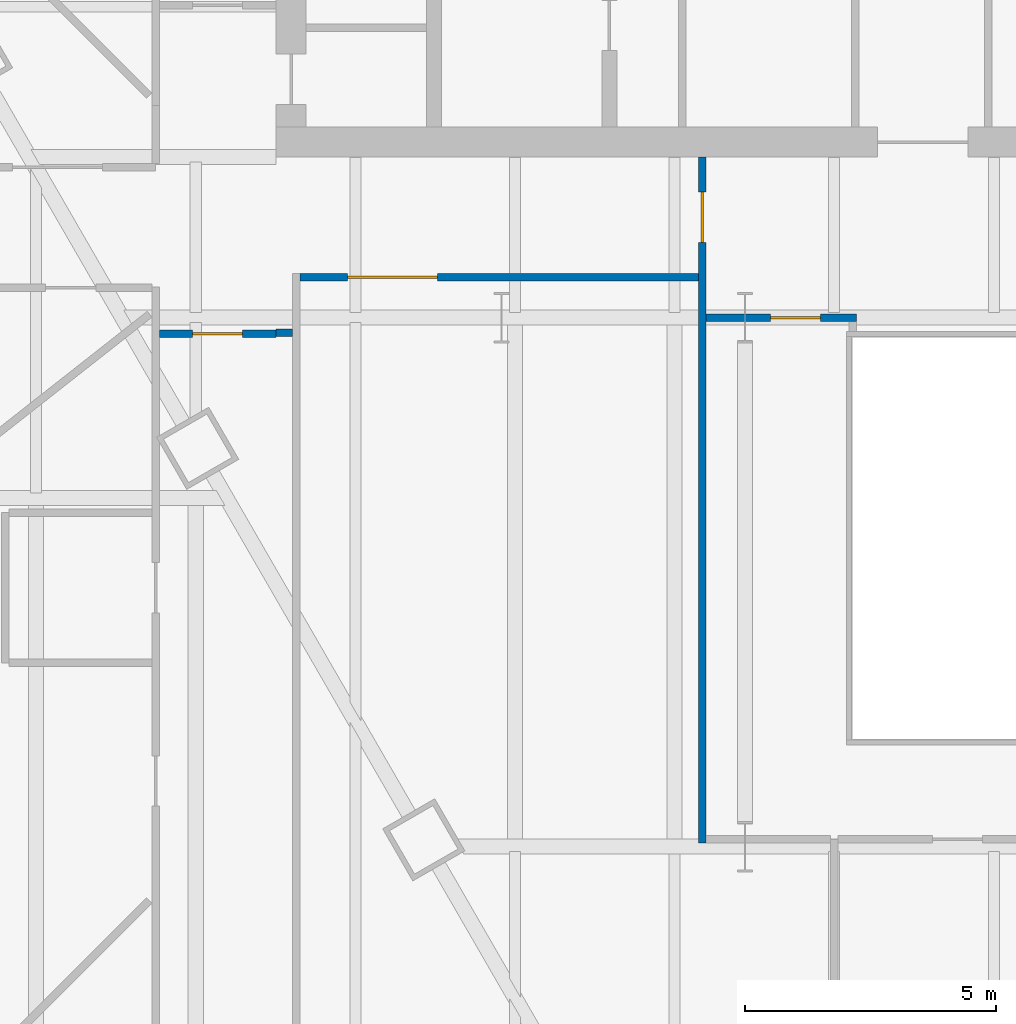
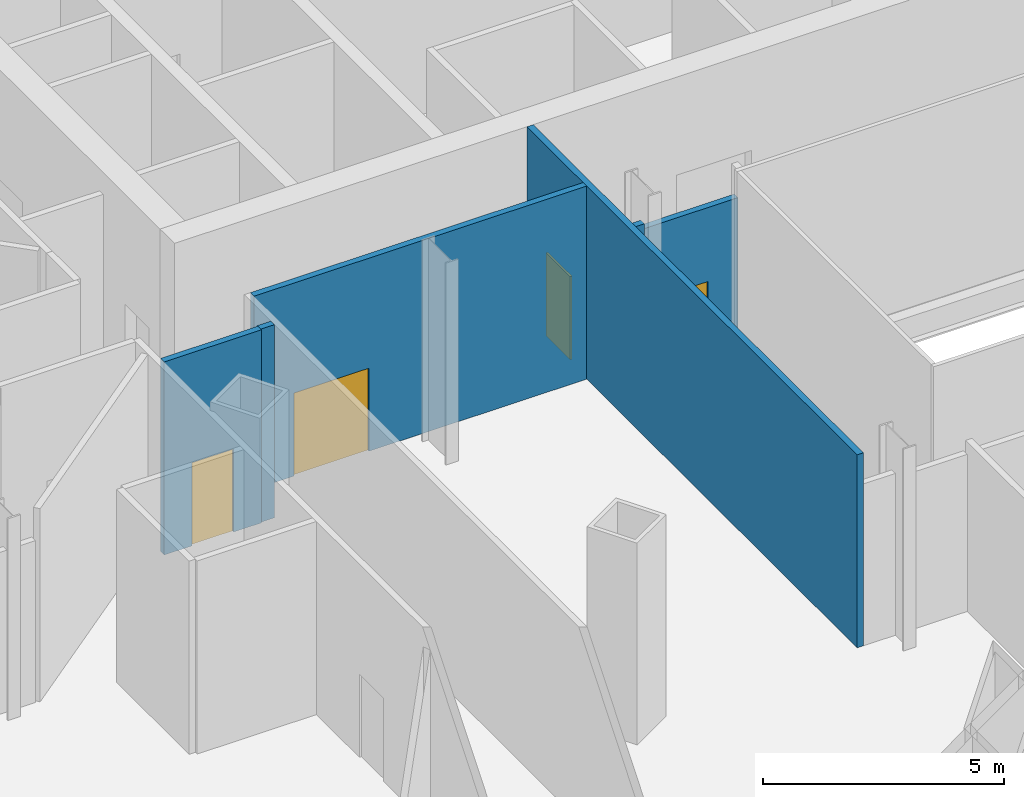
# One storey, part 9 of 21: 6 walls, 4 doors, 4 openings.
"""IFC4 building model written with IfcOpenShell, lengths in metres."""

from ifc_helpers import new_model, si_unit, direction, frame, frame_2d, origin, place, context, subcontext, project, spatial, rectangle, extrude, material, layer, layer_set, type_object, element, fill, save


model = new_model("IFC4")

# Units and contexts
model_context = context("Model", 3, precision=1e-05, world=origin(), true_north=direction((0.0, 1.0)))
body_context = subcontext(model_context, "Body", "Model", "MODEL_VIEW")
ifc_project = project(units=[si_unit("LENGTHUNIT", "METRE"), si_unit("AREAUNIT", "SQUARE_METRE"), si_unit("VOLUMEUNIT", "CUBIC_METRE"), si_unit("PLANEANGLEUNIT", "RADIAN"), si_unit("MASSUNIT", "GRAM", prefix="KILO")], contexts=[model_context])

# Site, building, storey
site_placement = place(None, origin())
site = spatial("IfcSite", under=ifc_project, at=site_placement, CompositionType="ELEMENT")
building_placement = place(site_placement, origin())
building = spatial("IfcBuilding", under=site, at=building_placement, Name="Njiva Tower", CompositionType="ELEMENT")
storey_placement = place(building_placement, frame((0.0, 0.0, 13.5)))
storey = spatial("IfcBuildingStorey", under=building, at=storey_placement, Name="L02", CompositionType="ELEMENT", Elevation=13.5)

# Wall, opening, door
ifc_material_1 = material(Name="Gypsum board on steel studs", Category="gypsum")
ifc_layer = layer(ifc_material_1, 0.15)
ifc_layer_set = layer_set([ifc_layer], Name="Gypsum board on steel studs")
wall_type = type_object("IfcWallType", Name="WT21 Compartment wall 150", PredefinedType="PARTITIONING", material=ifc_layer_set)
wall_1_placement = place(storey_placement, frame((-19.825, -3.525, 0.0), z_axis=(0.0, 0.0, 1.0), x_axis=(1.0, 0.0, 0.0)))
wall_1 = element("IfcWall", 1, at=wall_1_placement, inside=storey, type_object=wall_type, Name="Partition L02-P028", PredefinedType="PARTITIONING", context=body_context, shape_type="SweptSolid", body=[
    extrude(rectangle(XDim=2.325, YDim=0.15, at=frame_2d((1.1625, 0.0))), origin(), (0.0, 0.0, 1.0), 4.88),
])
opening_1_placement = place(wall_1_placement, frame((0.662, 0.0, 0.0)))
opening_1 = element("IfcOpeningElement", 2, at=opening_1_placement, cuts=wall_1, Name="Opening L02-D010", PredefinedType="OPENING", context=body_context, shape_type="SweptSolid", body=[
    extrude(rectangle(XDim=1.0, YDim=2.1, at=frame_2d((0.5, 1.05))), frame((0.0, 0.085, 0.0), z_axis=(0.0, -1.0, 0.0), x_axis=(1.0, 0.0, 0.0)), (0.0, 0.0, 1.0), 0.17),
])
ifc_material_2 = material(Name="Steel fire door set", Category="steel")
door_type_1 = type_object("IfcDoorType", Name="D37 Fire door 1000x2100", OperationType="SINGLE_SWING_LEFT", PredefinedType="DOOR", material=ifc_material_2)
door_1_placement = place(opening_1_placement, origin())
door_1 = element("IfcDoor", 3, at=door_1_placement, inside=storey, type_object=door_type_1, Name="Door L02-D010", OperationType="SINGLE_SWING_RIGHT", OverallHeight=2.1, OverallWidth=1.0, PredefinedType="DOOR", context=body_context, shape_type="SweptSolid", body=[
    extrude(rectangle(XDim=1.0, YDim=2.1, at=frame_2d((0.5, 1.05))), frame((0.0, 0.025, 0.0), z_axis=(0.0, -1.0, 0.0), x_axis=(1.0, 0.0, 0.0)), (0.0, 0.0, 1.0), 0.05),
])
fill(opening_1, door_1)

# Wall
wall_2_placement = place(storey_placement, frame((-17.5, -3.5, 0.0), z_axis=(0.0, 0.0, 1.0), x_axis=(1.0, 0.0, 0.0)))
element("IfcWall", 4, at=wall_2_placement, inside=storey, type_object=wall_type, Name="Partition L02-P036", PredefinedType="PARTITIONING", context=body_context, shape_type="SweptSolid", body=[
    extrude(rectangle(XDim=0.325, YDim=0.15, at=frame_2d((0.1625, 0.0))), origin(), (0.0, 0.0, 1.0), 4.88),
])

# Wall, opening, door
wall_3_placement = place(storey_placement, frame((-17.025, -2.4, 0.0), z_axis=(0.0, 0.0, 1.0), x_axis=(1.0, 0.0, 0.0)))
wall_3 = element("IfcWall", 5, at=wall_3_placement, inside=storey, type_object=wall_type, Name="Partition L02-P040", PredefinedType="PARTITIONING", context=body_context, shape_type="SweptSolid", body=[
    extrude(rectangle(XDim=7.95, YDim=0.15, at=frame_2d((3.975, 0.0))), origin(), (0.0, 0.0, 1.0), 4.88),
])
opening_2_placement = place(wall_3_placement, frame((0.95, 0.0, 0.0)))
opening_2 = element("IfcOpeningElement", 6, at=opening_2_placement, cuts=wall_3, Name="Opening L02-D013", PredefinedType="OPENING", context=body_context, shape_type="SweptSolid", body=[
    extrude(rectangle(XDim=1.8, YDim=2.1, at=frame_2d((0.9, 1.05))), frame((0.0, 0.085, 0.0), z_axis=(0.0, -1.0, 0.0), x_axis=(1.0, 0.0, 0.0)), (0.0, 0.0, 1.0), 0.17),
])
door_type_2 = type_object("IfcDoorType", Name="D38 Fire door 1800x2100", OperationType="DOUBLE_DOOR_SINGLE_SWING", PredefinedType="DOOR", material=ifc_material_2)
door_2_placement = place(opening_2_placement, origin())
door_2 = element("IfcDoor", 7, at=door_2_placement, inside=storey, type_object=door_type_2, Name="Door L02-D013", OperationType="DOUBLE_DOOR_SINGLE_SWING", OverallHeight=2.1, OverallWidth=1.8, PredefinedType="DOOR", context=body_context, shape_type="SweptSolid", body=[
    extrude(rectangle(XDim=1.8, YDim=2.1, at=frame_2d((0.9, 1.05))), frame((0.0, 0.025, 0.0), z_axis=(0.0, -1.0, 0.0), x_axis=(1.0, 0.0, 0.0)), (0.0, 0.0, 1.0), 0.05),
])
fill(opening_2, door_2)

wall_4_placement = place(storey_placement, frame((-9.0, -13.675, 0.0), z_axis=(0.0, 0.0, 1.0), x_axis=(0.0, 1.0, 0.0)))
wall_4 = element("IfcWall", 8, at=wall_4_placement, inside=storey, type_object=wall_type, Name="Partition L02-P047", PredefinedType="PARTITIONING", context=body_context, shape_type="SweptSolid", body=[
    extrude(rectangle(XDim=13.675, YDim=0.15, at=frame_2d((6.8375, 0.0))), origin(), (0.0, 0.0, 1.0), 4.88),
])
opening_3_placement = place(wall_4_placement, frame((11.975, 0.0, 0.0)))
opening_3 = element("IfcOpeningElement", 9, at=opening_3_placement, cuts=wall_4, Name="Opening L02-D017", PredefinedType="OPENING", context=body_context, shape_type="SweptSolid", body=[
    extrude(rectangle(XDim=1.0, YDim=2.1, at=frame_2d((0.5, 1.05))), frame((0.0, 0.085, 0.0), z_axis=(0.0, -1.0, 0.0), x_axis=(1.0, 0.0, 0.0)), (0.0, 0.0, 1.0), 0.17),
])
door_3_placement = place(opening_3_placement, origin())
door_3 = element("IfcDoor", 10, at=door_3_placement, inside=storey, type_object=door_type_1, Name="Door L02-D017", OperationType="SINGLE_SWING_LEFT", OverallHeight=2.1, OverallWidth=1.0, PredefinedType="DOOR", context=body_context, shape_type="SweptSolid", body=[
    extrude(rectangle(XDim=1.0, YDim=2.1, at=frame_2d((0.5, 1.05))), frame((0.0, 0.025, 0.0), z_axis=(0.0, -1.0, 0.0), x_axis=(1.0, 0.0, 0.0)), (0.0, 0.0, 1.0), 0.05),
])
fill(opening_3, door_3)

# Wall
wall_5_placement = place(storey_placement, frame((-8.925, -3.2, 0.0), z_axis=(0.0, 0.0, 1.0), x_axis=(1.0, 0.0, 0.0)))
element("IfcWall", 11, at=wall_5_placement, inside=storey, type_object=wall_type, Name="Partition L02-P049", PredefinedType="PARTITIONING", context=body_context, shape_type="SweptSolid", body=[
    extrude(rectangle(XDim=0.775, YDim=0.15, at=frame_2d((0.3875, 0.0))), origin(), (0.0, 0.0, 1.0), 4.09),
])

# Wall, opening, door
wall_6_placement = place(storey_placement, frame((-8.15, -3.2, 0.0), z_axis=(0.0, 0.0, 1.0), x_axis=(1.0, 0.0, 0.0)))
wall_6 = element("IfcWall", 12, at=wall_6_placement, inside=storey, type_object=wall_type, Name="Partition L02-P049A", PredefinedType="PARTITIONING", context=body_context, shape_type="SweptSolid", body=[
    extrude(rectangle(XDim=2.225, YDim=0.15, at=frame_2d((1.1125, 0.0))), origin(), (0.0, 0.0, 1.0), 3.97),
])
opening_4_placement = place(wall_6_placement, frame((0.513, 0.0, 0.0)))
opening_4 = element("IfcOpeningElement", 13, at=opening_4_placement, cuts=wall_6, Name="Opening L02-D018", PredefinedType="OPENING", context=body_context, shape_type="SweptSolid", body=[
    extrude(rectangle(XDim=1.0, YDim=2.1, at=frame_2d((0.5, 1.05))), frame((0.0, 0.085, 0.0), z_axis=(0.0, -1.0, 0.0), x_axis=(1.0, 0.0, 0.0)), (0.0, 0.0, 1.0), 0.17),
])
door_4_placement = place(opening_4_placement, origin())
door_4 = element("IfcDoor", 14, at=door_4_placement, inside=storey, type_object=door_type_1, Name="Door L02-D018", OperationType="SINGLE_SWING_RIGHT", OverallHeight=2.1, OverallWidth=1.0, PredefinedType="DOOR", context=body_context, shape_type="SweptSolid", body=[
    extrude(rectangle(XDim=1.0, YDim=2.1, at=frame_2d((0.5, 1.05))), frame((0.0, 0.025, 0.0), z_axis=(0.0, -1.0, 0.0), x_axis=(1.0, 0.0, 0.0)), (0.0, 0.0, 1.0), 0.05),
])
fill(opening_4, door_4)

save(model, "model.ifc")
